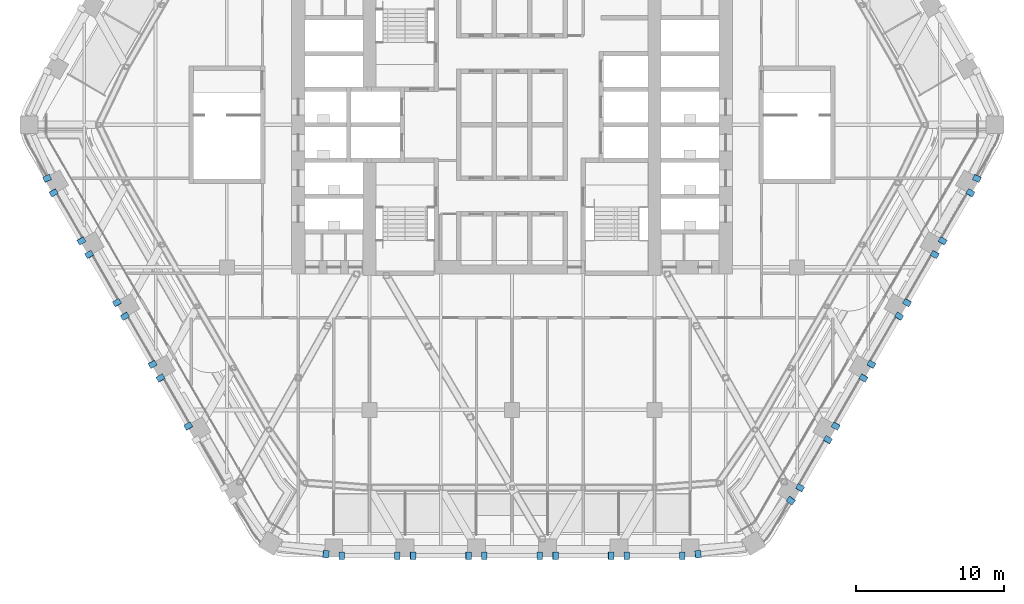
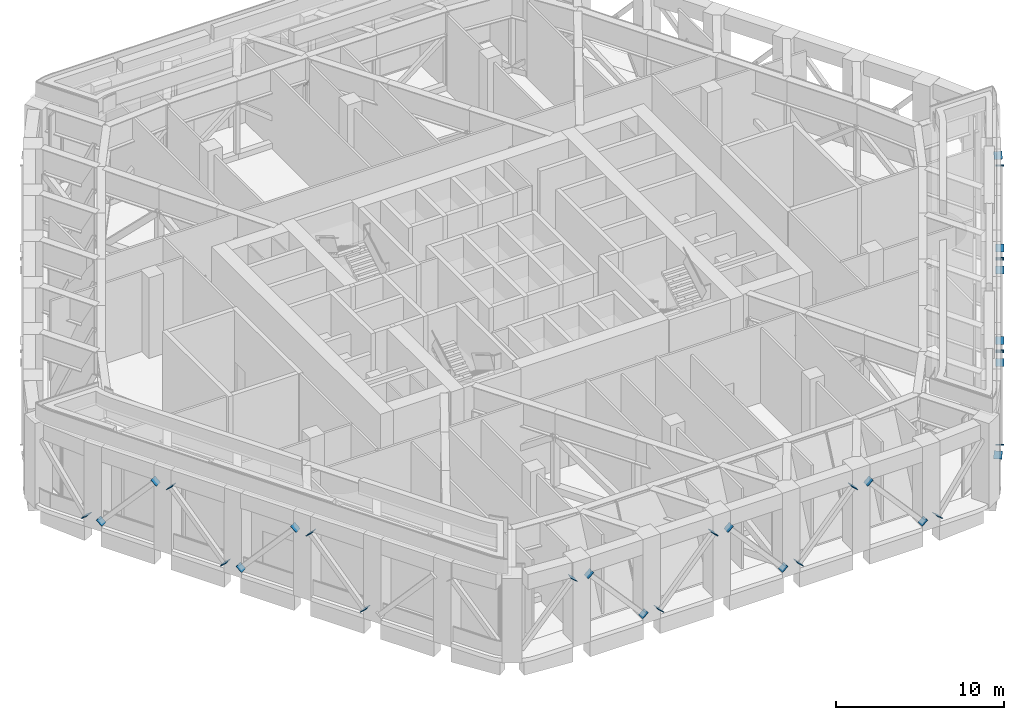
# One storey, part 23 of 27: 33 discrete accessories.
"""IFC4 building model written with IfcOpenShell, lengths in metres."""

from ifc_helpers import new_model, si_unit, direction, frame, origin, origin_2d, place, context, subcontext, project, spatial, rectangle, extrude, element, save


model = new_model("IFC4")

# Units and contexts
model_context = context("Model", 3, precision=1e-05, world=origin(), true_north=direction((0.0, 1.0)))
body_context = subcontext(model_context, "Body", "Model", "MODEL_VIEW")
ifc_project = project(units=[si_unit("LENGTHUNIT", "METRE"), si_unit("AREAUNIT", "SQUARE_METRE"), si_unit("VOLUMEUNIT", "CUBIC_METRE"), si_unit("PLANEANGLEUNIT", "RADIAN"), si_unit("MASSUNIT", "GRAM", prefix="KILO")], contexts=[model_context])

# Site, building, storey
site_placement = place(None, origin())
site = spatial("IfcSite", under=ifc_project, at=site_placement, CompositionType="ELEMENT")
building_placement = place(site_placement, origin())
building = spatial("IfcBuilding", under=site, at=building_placement, Name="Kolab Exchange Tower", CompositionType="ELEMENT")
storey_placement = place(building_placement, frame((0.0, 0.0, 127.39990234375)))
storey = spatial("IfcBuildingStorey", under=building, at=storey_placement, Name="L25", CompositionType="ELEMENT", Elevation=127.39990234375)

# Discrete accessories
for number, where, z_axis, x_axis, name in (
    (1, (31.311767578125, -3.602294921875, 4.60009765625), (-0.253048103739, -0.574224543099, 0.778609549965), (0.915086186066, -0.403258319283, 0.0), "Gusset plate"),
    (2, (30.868896484375, -4.5869140625, 4.60009765625), (0.330768096403, 0.573979931994, 0.749092453619), (-0.866429964967, 0.499298623879, 0.0), "Gusset plate"),
    (3, (29.006591796875, -7.812255859375, 0.400146484375), (-0.330768096403, -0.573979931994, -0.749092453619), (0.866429964967, -0.499298623879, 0.0), "Gusset plate"),
    (4, (28.468994140625, -8.74365234375, 0.400146484375), (0.330768096403, 0.573979931994, -0.749092453619), (-0.866429964967, 0.499298623879, 0.0), "Gusset plate"),
    (5, (26.606689453125, -11.968994140625, 4.60009765625), (-0.330768096403, -0.573979931994, 0.749092453619), (0.866429964967, -0.499298623879, 0.0), "Gusset plate"),
    (6, (26.06884765625, -12.900634765625, 4.60009765625), (0.330768096403, 0.573979931994, 0.749092453619), (-0.866429964967, 0.499298623879, 0.0), "Gusset plate"),
    (7, (24.206787109375, -16.1259765625, 0.400146484375), (-0.330768096403, -0.573979931994, -0.749092453619), (0.866429964967, -0.499298623879, 0.0), "Gusset plate"),
    (8, (23.6689453125, -17.0576171875, 0.400146484375), (0.330768096403, 0.573979931994, -0.749092453619), (-0.866429964967, 0.499298623879, 0.0), "Gusset plate"),
    (9, (21.806640625, -20.282958984375, 4.60009765625), (-0.330768096403, -0.573979931994, 0.749092453619), (0.866429964967, -0.499298623879, 0.0), "Gusset plate"),
    (10, (21.268798828125, -21.214599609375, 4.60009765625), (0.330768096403, 0.573979931994, 0.749092453619), (-0.866429964967, 0.499298623879, 0.0), "Gusset plate"),
    (11, (19.40673828125, -24.43994140625, 0.400146484375), (-0.330768096403, -0.573979931994, -0.749092453619), (0.866429964967, -0.499298623879, 0.0), "Gusset plate"),
):
    element("IfcDiscreteAccessory", number, at=place(storey_placement, frame(where, z_axis=z_axis, x_axis=x_axis)), inside=storey, Name=name, ObjectType="GUSSET PLATE", PredefinedType="USERDEFINED", context=body_context, shape_type="SweptSolid", body=[
        extrude(rectangle(XDim=0.5, YDim=0.5, at=origin_2d()), origin(), (0.0, 0.0, 1.0), 0.025146484375),
    ])
discrete_accessory_placement = place(storey_placement, frame((18.775634765625, -25.3154296875, 0.400146484375), z_axis=(0.371817113019, 0.499017704315, -0.782772869514), x_axis=(-0.801882827613, 0.597481322535, 0.0)))
element("IfcDiscreteAccessory", 12, at=discrete_accessory_placement, inside=storey, Name="Gusset plate", ObjectType="GUSSET PLATE", PredefinedType="USERDEFINED", context=body_context, shape_type="SweptSolid", body=[
    extrude(rectangle(XDim=0.5, YDim=0.5, at=origin_2d()), origin(), (0.0, 0.0, 1.0), 0.02490234375),
])
for number, where, z_axis, x_axis, name in (
    (13, (12.5361328125, -28.91796875, 0.400146484375), (-0.623241956064, -0.068167088945, -0.77905244508), (0.108726591286, -0.994071691754, 0.0), "Gusset plate"),
    (14, (11.462158203125, -29.026611328125, 0.400146484375), (0.661943533071, 0.0, -0.749553706565), (0.0, 1.0, 0.0), "Gusset plate"),
    (15, (7.73779296875, -29.026611328125, 4.60009765625), (-0.661943533071, 0.0, 0.749553706565), (0.0, -1.0, 0.0), "Gusset plate"),
    (16, (6.662109375, -29.026611328125, 4.60009765625), (0.661943533071, 0.0, 0.749553706565), (0.0, 1.0, 0.0), "Gusset plate"),
    (17, (2.937744140625, -29.026611328125, 0.400146484375), (-0.661943533071, 0.0, -0.749553706565), (0.0, -1.0, 0.0), "Gusset plate"),
    (18, (1.8623046875, -29.026611328125, 0.400146484375), (0.661943533071, 0.0, -0.749553706565), (0.0, 1.0, 0.0), "Gusset plate"),
    (19, (-1.8623046875, -29.026611328125, 4.60009765625), (-0.661943533071, 0.0, 0.749553706565), (0.0, -1.0, 0.0), "Gusset plate"),
    (20, (-2.937744140625, -29.026611328125, 4.60009765625), (0.661943533071, 0.0, 0.749553706565), (0.0, 1.0, 0.0), "Gusset plate"),
    (21, (-6.662109375, -29.026611328125, 0.400146484375), (-0.661943533071, 0.0, -0.749553706565), (0.0, -1.0, 0.0), "Gusset plate"),
    (22, (-7.73779296875, -29.026611328125, 0.400146484375), (0.661943533071, 0.0, -0.749553706565), (0.0, 1.0, 0.0), "Gusset plate"),
    (23, (-11.462158203125, -29.026611328125, 4.60009765625), (-0.661943533071, 0.0, 0.749553706565), (0.0, -1.0, 0.0), "Gusset plate"),
    (24, (-12.5361328125, -28.91796875, 4.60009765625), (0.623241956064, -0.068167088945, 0.77905244508), (0.108726591286, 0.994071691754, 0.0), "Gusset plate"),
    (25, (-21.806640625, -20.282958984375, 0.400146484375), (0.330768096403, -0.573979931994, -0.749092453619), (0.866429964967, 0.499298623879, 0.0), "Gusset plate"),
    (26, (-23.6689453125, -17.0576171875, 4.60009765625), (-0.330768096403, 0.573979931994, 0.749092453619), (-0.866429964967, -0.499298623879, 0.0), "Gusset plate"),
    (27, (-24.206787109375, -16.1259765625, 4.60009765625), (0.330768096403, -0.573979931994, 0.749092453619), (0.866429964967, 0.499298623879, 0.0), "Gusset plate"),
    (28, (-26.06884765625, -12.900634765625, 0.400146484375), (-0.330768096403, 0.573979931994, -0.749092453619), (-0.866429964967, -0.499298623879, 0.0), "Gusset plate"),
    (29, (-26.606689453125, -11.968994140625, 0.400146484375), (0.330768096403, -0.573979931994, -0.749092453619), (0.866429964967, 0.499298623879, 0.0), "Gusset plate"),
    (30, (-28.468994140625, -8.74365234375, 4.60009765625), (-0.330768096403, 0.573979931994, 0.749092453619), (-0.866429964967, -0.499298623879, 0.0), "Gusset plate"),
    (31, (-29.006591796875, -7.812255859375, 4.60009765625), (0.330768096403, -0.573979931994, 0.749092453619), (0.866429964967, 0.499298623879, 0.0), "Gusset plate"),
    (32, (-30.868896484375, -4.5869140625, 0.400146484375), (-0.330768096403, 0.573979931994, -0.749092453619), (-0.866429964967, -0.499298623879, 0.0), "Gusset plate"),
    (33, (-31.311767578125, -3.602294921875, 0.400146484375), (0.253048103739, -0.574224543099, -0.778609549965), (0.915086186066, 0.403258319283, 0.0), "Gusset plate"),
):
    element("IfcDiscreteAccessory", number, at=place(storey_placement, frame(where, z_axis=z_axis, x_axis=x_axis)), inside=storey, Name=name, ObjectType="GUSSET PLATE", PredefinedType="USERDEFINED", context=body_context, shape_type="SweptSolid", body=[
        extrude(rectangle(XDim=0.5, YDim=0.5, at=origin_2d()), origin(), (0.0, 0.0, 1.0), 0.025146484375),
    ])

save(model, "model.ifc")
